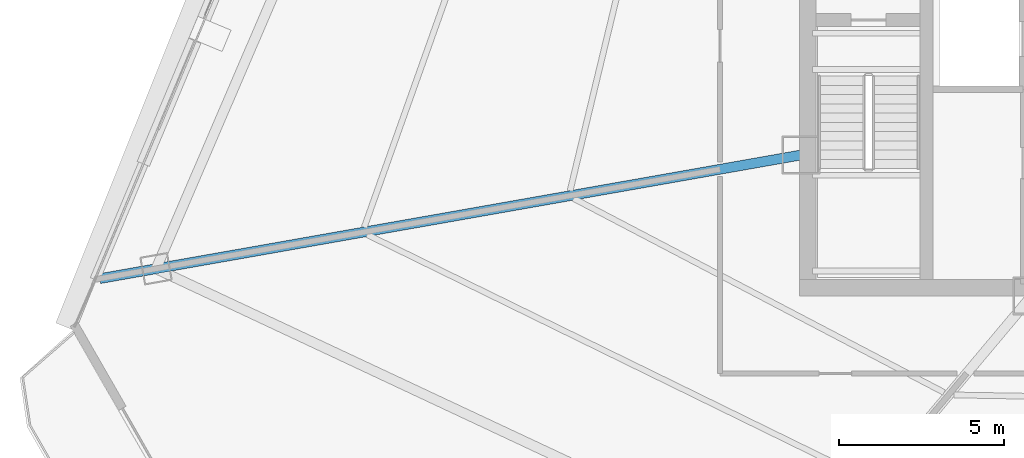
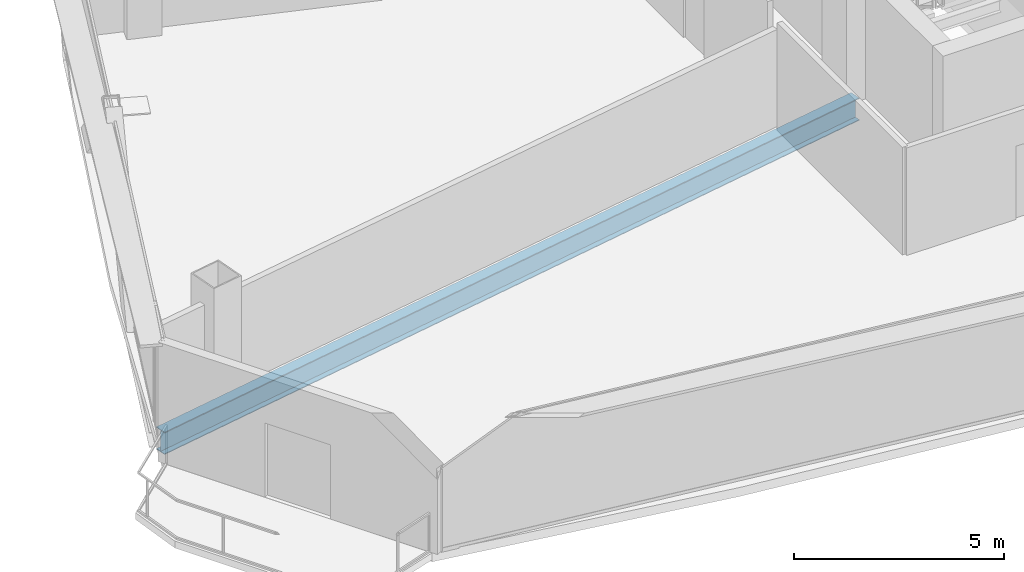
# One storey, part 5 of 37: 1 beam.
"""IFC4 building model written with IfcOpenShell, lengths in metres."""

from ifc_helpers import new_model, si_unit, direction, frame, origin, origin_2d, place, context, subcontext, project, spatial, i_section, extrude, source, transform, mapped, material, material_profile, profile_set, type_object, element, save


model = new_model("IFC4")

# Units and contexts
model_context = context("Model", 3, precision=1e-05, world=origin(), true_north=direction((0.0, 1.0)))
body_context = subcontext(model_context, "Body", "Model", "MODEL_VIEW")
ifc_project = project(units=[si_unit("LENGTHUNIT", "METRE"), si_unit("AREAUNIT", "SQUARE_METRE"), si_unit("VOLUMEUNIT", "CUBIC_METRE"), si_unit("PLANEANGLEUNIT", "RADIAN"), si_unit("MASSUNIT", "GRAM", prefix="KILO"), si_unit("THERMODYNAMICTEMPERATUREUNIT", "KELVIN"), si_unit("POWERUNIT", "WATT")], contexts=[model_context])

# Site, building, storey
site_placement = place(None, origin())
site = spatial("IfcSite", under=ifc_project, at=site_placement, CompositionType="ELEMENT")
building_placement = place(site_placement, origin())
building = spatial("IfcBuilding", under=site, at=building_placement, Name="Yunzhuo Pagoda Commons", CompositionType="ELEMENT")
storey_placement = place(building_placement, frame((0.0, 0.0, 259.449951171875)))
storey = spatial("IfcBuildingStorey", under=building, at=storey_placement, Name="L65", CompositionType="ELEMENT", Elevation=259.449951171875)

# Beam
ifc_material = material(Name="Structural steel Q355B", Category="steel")
ifc_material_profile = material_profile(ifc_material, i_section(OverallWidth=0.300048828125, OverallDepth=0.64990234375, WebThickness=0.012939453125, FlangeThickness=0.02197265625, at=origin_2d()), Name="Structural steel Q355B")
ifc_profile_set = profile_set([ifc_material_profile], Name="Structural steel Q355B")
beam_type = type_object("IfcBeamType", Name="B-RG2 Beam HN 650x300x13x22", PredefinedType="BEAM", material=ifc_profile_set)
shared_shape = source(origin(), body_context, "Body", "SweptSolid", [
    extrude(i_section(OverallWidth=0.300048828125, OverallDepth=0.64990234375, WebThickness=0.012939453125, FlangeThickness=0.02197265625, at=origin_2d()), origin(), (0.0, 0.0, 1.0), 21.561279296875),
])
beam_placement = place(storey_placement, frame((14.366455078125, 27.76953125, -0.5849609375), z_axis=(0.984809082291, 0.173640638784, 0.0), x_axis=(-0.173640638784, 0.984809082291, 0.0)))
element("IfcBeam", 1, at=beam_placement, inside=storey, type_object=beam_type, Name="L65 radial floor girder F3C4", PredefinedType="BEAM", context=body_context, shape_type="MappedRepresentation", body=[
    mapped(shared_shape, transform((0.0, 0.0, 0.0), scale=1.0)),
])

save(model, "model.ifc")
